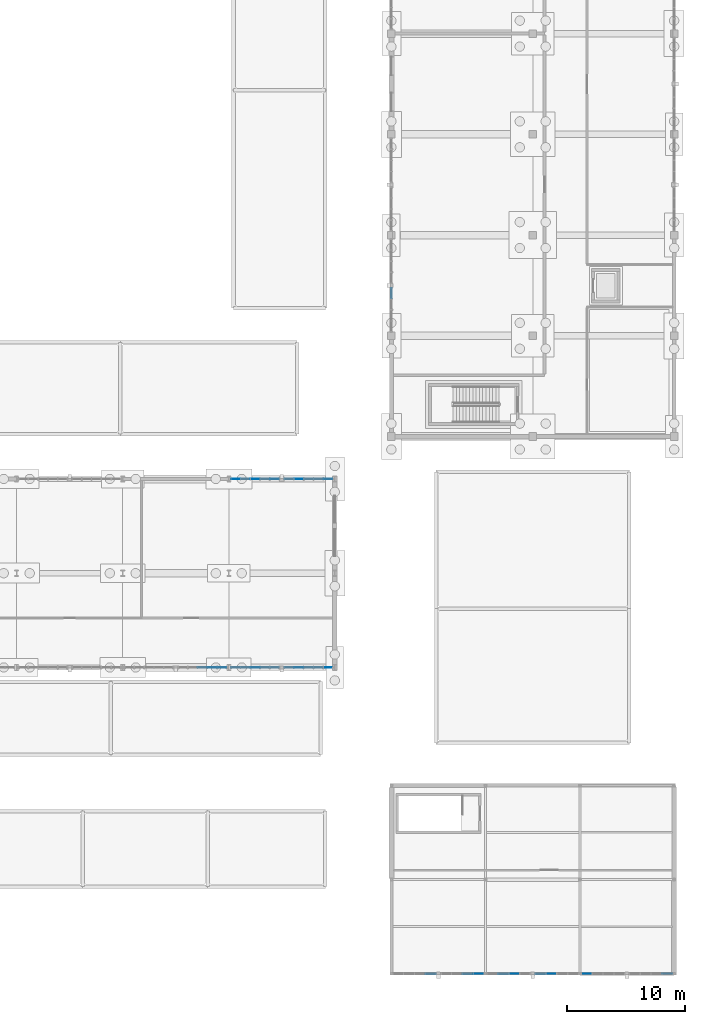
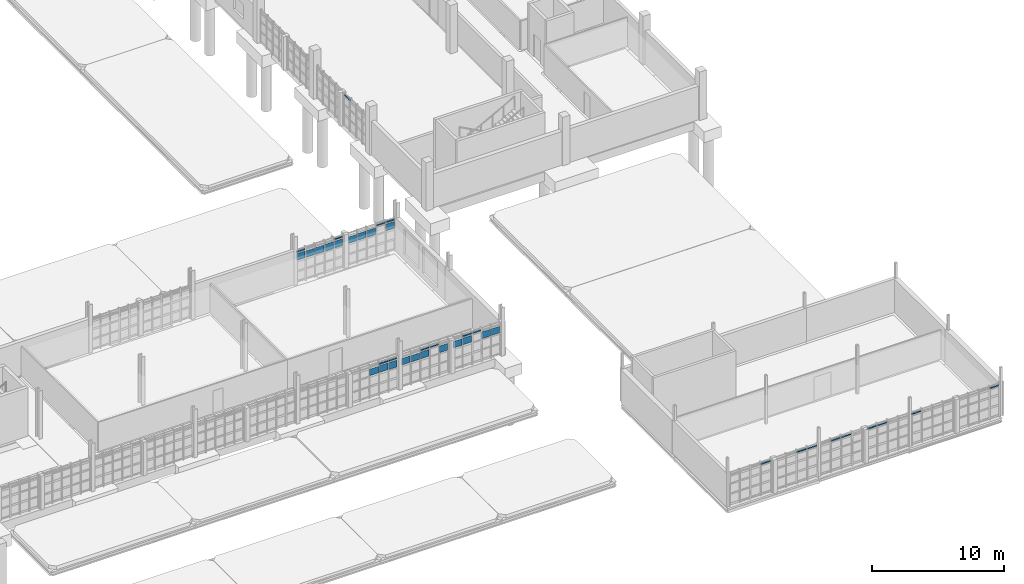
# One storey, part 100 of 125: 40 plates, 12 elements without a shape of their own.
"""IFC4 building model written with IfcOpenShell, lengths in metres."""

from ifc_helpers import new_model, si_unit, direction, frame, origin, origin_2d, place, context, subcontext, project, spatial, rectangle, extrude, material, layer, layer_set, type_object, element, aggregate, save


model = new_model("IFC4")

# Units and contexts
model_context = context("Model", 3, precision=1e-05, world=origin(), true_north=direction((0.0, 1.0)))
body_context = subcontext(model_context, "Body", "Model", "MODEL_VIEW")
ifc_project = project(units=[si_unit("LENGTHUNIT", "METRE"), si_unit("AREAUNIT", "SQUARE_METRE"), si_unit("VOLUMEUNIT", "CUBIC_METRE"), si_unit("PLANEANGLEUNIT", "RADIAN"), si_unit("MASSUNIT", "GRAM", prefix="KILO")], contexts=[model_context])

# Site, building, storey
site_placement = place(None, origin())
site = spatial("IfcSite", under=ifc_project, at=site_placement, CompositionType="ELEMENT")
building_placement = place(site_placement, origin())
building = spatial("IfcBuilding", under=site, at=building_placement, Name="Serraforn Aerial Cableway Station", CompositionType="ELEMENT")
storey_placement = place(building_placement, frame((0.0, 0.0, 4.5)))
storey = spatial("IfcBuildingStorey", under=building, at=storey_placement, Name="L01", CompositionType="ELEMENT", Elevation=4.5)

# Curtain wall, plate
ifc_material_1 = material(Name="Anodised bronze unitised curtain wall")
curtain_wall_type_1 = type_object("IfcCurtainWallType", Name="CW-SYS-22", PredefinedType="USERDEFINED", material=ifc_material_1)
curtain_wall_1_placement = place(storey_placement, origin())
curtain_wall_1 = element("IfcCurtainWall", 1, at=curtain_wall_1_placement, inside=storey, type_object=curtain_wall_type_1, Name="Unitised Curtain Wall CW-EL-L01-N5B", ObjectType="UNITISED CURTAIN WALL", PredefinedType="USERDEFINED")
ifc_material_2 = material(Name="Solar-control low-E double glazing", Category="glass")
ifc_layer_1 = layer(ifc_material_2, 0.02587890625)
ifc_layer_set_1 = layer_set([ifc_layer_1], Name="Solar-control low-E double glazing")
plate_type_1 = type_object("IfcPlateType", Name="CW-GLZ-1", PredefinedType="CURTAIN_PANEL", material=ifc_layer_set_1)
plate_1_placement = place(storey_placement, frame((130.78271484375, 42.0, 2.077392578125), z_axis=(0.0, 0.0, 1.0), x_axis=(1.0, 0.0, 0.0)))
plate_1 = element("IfcPlate", 2, at=plate_1_placement, type_object=plate_type_1, Name="Curtain Wall Panel CW-EL-L01-N5B-P5-3", PredefinedType="CURTAIN_PANEL", context=body_context, shape_type="SweptSolid", body=[
    extrude(rectangle(XDim=0.743408203125, YDim=0.02587890625, at=origin_2d()), origin(), (0.0, 0.0, 1.0), 0.615234375),
])

curtain_wall_type_2 = type_object("IfcCurtainWallType", Name="CW-SYS-19", PredefinedType="USERDEFINED", material=ifc_material_1)
curtain_wall_2_placement = place(storey_placement, origin())
curtain_wall_2 = element("IfcCurtainWall", 3, at=curtain_wall_2_placement, inside=storey, type_object=curtain_wall_type_2, Name="Unitised Curtain Wall CW-EL-L01-S5A", ObjectType="UNITISED CURTAIN WALL", PredefinedType="USERDEFINED")
ifc_layer_2 = layer(ifc_material_2, 0.028076171875)
ifc_layer_set_2 = layer_set([ifc_layer_2], Name="Solar-control low-E double glazing")
plate_type_2 = type_object("IfcPlateType", Name="CW-GLZ-2", PredefinedType="CURTAIN_PANEL", material=ifc_layer_set_2)
plate_2_placement = place(storey_placement, frame((130.788818359375, 26.0, 2.062255859375), z_axis=(0.0, 0.0, 1.0), x_axis=(1.0, 0.0, 0.0)))
plate_2 = element("IfcPlate", 4, at=plate_2_placement, type_object=plate_type_2, Name="Curtain Wall Panel CW-EL-L01-S5A-P1-3", PredefinedType="CURTAIN_PANEL", context=body_context, shape_type="SweptSolid", body=[
    extrude(rectangle(XDim=0.73583984375, YDim=0.028076171875, at=origin_2d()), origin(), (0.0, 0.0, 1.0), 0.6103515625),
])

# Plate
plate_3_placement = place(storey_placement, frame((130.78271484375, 42.0, 2.798583984375), z_axis=(0.0, 0.0, 1.0), x_axis=(1.0, 0.0, 0.0)))
plate_3 = element("IfcPlate", 5, at=plate_3_placement, type_object=plate_type_2, Name="Curtain Wall Panel CW-EL-L01-N5B-P5-4", PredefinedType="CURTAIN_PANEL", context=body_context, shape_type="SweptSolid", body=[
    extrude(rectangle(XDim=0.743408203125, YDim=0.028076171875, at=origin_2d()), origin(), (0.0, 0.0, 1.0), 0.138671875),
])

# Curtain wall, plate
curtain_wall_type_3 = type_object("IfcCurtainWallType", Name="CW-SYS-8", PredefinedType="USERDEFINED", material=ifc_material_1)
curtain_wall_3_placement = place(storey_placement, origin())
curtain_wall_3 = element("IfcCurtainWall", 6, at=curtain_wall_3_placement, inside=storey, type_object=curtain_wall_type_3, Name="Unitised Curtain Wall CW-ES-L01-S3B", ObjectType="UNITISED CURTAIN WALL", PredefinedType="USERDEFINED")
ifc_layer_3 = layer(ifc_material_2, 0.030029296875)
ifc_layer_set_3 = layer_set([ifc_layer_3], Name="Solar-control low-E double glazing")
plate_type_3 = type_object("IfcPlateType", Name="CW-GLZ-3", PredefinedType="CURTAIN_PANEL", material=ifc_layer_set_3)
plate_4_placement = place(storey_placement, frame((167.419189453125, 0.0, 2.798583984375), z_axis=(0.0, 0.0, 1.0), x_axis=(1.0, 0.0, 0.0)))
plate_4 = element("IfcPlate", 7, at=plate_4_placement, type_object=plate_type_3, Name="Curtain Wall Panel CW-ES-L01-S3B-P4-4", PredefinedType="CURTAIN_PANEL", context=body_context, shape_type="SweptSolid", body=[
    extrude(rectangle(XDim=0.839599609375, YDim=0.030029296875, at=origin_2d()), origin(), (0.0, 0.0, 1.0), 0.138671875),
])
aggregate(curtain_wall_3, [plate_4])

curtain_wall_type_4 = type_object("IfcCurtainWallType", Name="CW-SYS-18", PredefinedType="USERDEFINED", material=ifc_material_1)
curtain_wall_4_placement = place(storey_placement, origin())
curtain_wall_4 = element("IfcCurtainWall", 8, at=curtain_wall_4_placement, inside=storey, type_object=curtain_wall_type_4, Name="Unitised Curtain Wall CW-EL-L01-S4B", ObjectType="UNITISED CURTAIN WALL", PredefinedType="USERDEFINED")
plate_5_placement = place(storey_placement, frame((127.964599609375, 26.0, 2.06982421875), z_axis=(0.0, 0.0, 1.0), x_axis=(1.0, 0.0, 0.0)))
plate_5 = element("IfcPlate", 9, at=plate_5_placement, type_object=plate_type_3, Name="Curtain Wall Panel CW-EL-L01-S4B-P3-3", PredefinedType="CURTAIN_PANEL", context=body_context, shape_type="SweptSolid", body=[
    extrude(rectangle(XDim=0.781005859375, YDim=0.030029296875, at=origin_2d()), origin(), (0.0, 0.0, 1.0), 0.59521484375),
])

# Plate
plate_6_placement = place(storey_placement, frame((131.598388671875, 26.0, 2.06982421875), z_axis=(0.0, 0.0, 1.0), x_axis=(1.0, 0.0, 0.0)))
plate_6 = element("IfcPlate", 10, at=plate_6_placement, type_object=plate_type_3, Name="Curtain Wall Panel CW-EL-L01-S5A-P2-3", PredefinedType="CURTAIN_PANEL", context=body_context, shape_type="SweptSolid", body=[
    extrude(rectangle(XDim=0.781005859375, YDim=0.030029296875, at=origin_2d()), origin(), (0.0, 0.0, 1.0), 0.59521484375),
])

# Curtain wall, plate
curtain_wall_type_5 = type_object("IfcCurtainWallType", Name="CW-SYS-20", PredefinedType="USERDEFINED", material=ifc_material_1)
curtain_wall_5_placement = place(storey_placement, origin())
curtain_wall_5 = element("IfcCurtainWall", 11, at=curtain_wall_5_placement, inside=storey, type_object=curtain_wall_type_5, Name="Unitised Curtain Wall CW-EL-L01-S5B", ObjectType="UNITISED CURTAIN WALL", PredefinedType="USERDEFINED")
plate_7_placement = place(storey_placement, frame((135.309814453125, 26.0, 2.06982421875), z_axis=(0.0, 0.0, 1.0), x_axis=(1.0, 0.0, 0.0)))
plate_7 = element("IfcPlate", 12, at=plate_7_placement, type_object=plate_type_3, Name="Curtain Wall Panel CW-EL-L01-S5B-P1-3", PredefinedType="CURTAIN_PANEL", context=body_context, shape_type="SweptSolid", body=[
    extrude(rectangle(XDim=0.75341796875, YDim=0.030029296875, at=origin_2d()), origin(), (0.0, 0.0, 1.0), 0.59521484375),
])

# Plate
ifc_layer_4 = layer(ifc_material_2, 0.031982421875)
ifc_layer_set_4 = layer_set([ifc_layer_4], Name="Solar-control low-E double glazing")
plate_type_4 = type_object("IfcPlateType", Name="CW-GLZ-4", PredefinedType="CURTAIN_PANEL", material=ifc_layer_set_4)
plate_8_placement = place(storey_placement, frame((128.799072265625, 26.0, 2.077392578125), z_axis=(0.0, 0.0, 1.0), x_axis=(1.0, 0.0, 0.0)))
plate_8 = element("IfcPlate", 13, at=plate_8_placement, type_object=plate_type_4, Name="Curtain Wall Panel CW-EL-L01-S4B-P4-3", PredefinedType="CURTAIN_PANEL", context=body_context, shape_type="SweptSolid", body=[
    extrude(rectangle(XDim=0.77587890625, YDim=0.031982421875, at=origin_2d()), origin(), (0.0, 0.0, 1.0), 0.615234375),
])

plate_9_placement = place(storey_placement, frame((132.4326171875, 26.0, 2.077392578125), z_axis=(0.0, 0.0, 1.0), x_axis=(1.0, 0.0, 0.0)))
plate_9 = element("IfcPlate", 14, at=plate_9_placement, type_object=plate_type_4, Name="Curtain Wall Panel CW-EL-L01-S5A-P3-3", PredefinedType="CURTAIN_PANEL", context=body_context, shape_type="SweptSolid", body=[
    extrude(rectangle(XDim=0.77587890625, YDim=0.031982421875, at=origin_2d()), origin(), (0.0, 0.0, 1.0), 0.615234375),
])

plate_10_placement = place(storey_placement, frame((136.13037109375, 26.0, 2.077392578125), z_axis=(0.0, 0.0, 1.0), x_axis=(1.0, 0.0, 0.0)))
plate_10 = element("IfcPlate", 15, at=plate_10_placement, type_object=plate_type_4, Name="Curtain Wall Panel CW-EL-L01-S5B-P2-3", PredefinedType="CURTAIN_PANEL", context=body_context, shape_type="SweptSolid", body=[
    extrude(rectangle(XDim=0.77587890625, YDim=0.031982421875, at=origin_2d()), origin(), (0.0, 0.0, 1.0), 0.615234375),
])

# Curtain wall, plate
curtain_wall_type_6 = type_object("IfcCurtainWallType", Name="CW-SYS-21", PredefinedType="USERDEFINED", material=ifc_material_1)
curtain_wall_6_placement = place(storey_placement, origin())
curtain_wall_6 = element("IfcCurtainWall", 16, at=curtain_wall_6_placement, inside=storey, type_object=curtain_wall_type_6, Name="Unitised Curtain Wall CW-EL-L01-N5A", ObjectType="UNITISED CURTAIN WALL", PredefinedType="USERDEFINED")
plate_11_placement = place(storey_placement, frame((138.62109375, 42.0, 2.077392578125), z_axis=(0.0, 0.0, 1.0), x_axis=(1.0, 0.0, 0.0)))
plate_11 = element("IfcPlate", 17, at=plate_11_placement, type_object=plate_type_4, Name="Curtain Wall Panel CW-EL-L01-N5A-P1-3", PredefinedType="CURTAIN_PANEL", context=body_context, shape_type="SweptSolid", body=[
    extrude(rectangle(XDim=0.745849609375, YDim=0.031982421875, at=origin_2d()), origin(), (0.0, 0.0, 1.0), 0.615234375),
])

# Plate
ifc_layer_5 = layer(ifc_material_2, 0.033935546875)
ifc_layer_set_5 = layer_set([ifc_layer_5], Name="Solar-control low-E double glazing")
plate_type_5 = type_object("IfcPlateType", Name="CW-GLZ-5", PredefinedType="CURTAIN_PANEL", material=ifc_layer_set_5)
plate_12_placement = place(storey_placement, frame((128.799072265625, 26.0, 2.798583984375), z_axis=(0.0, 0.0, 1.0), x_axis=(1.0, 0.0, 0.0)))
plate_12 = element("IfcPlate", 18, at=plate_12_placement, type_object=plate_type_5, Name="Curtain Wall Panel CW-EL-L01-S4B-P4-4", PredefinedType="CURTAIN_PANEL", context=body_context, shape_type="SweptSolid", body=[
    extrude(rectangle(XDim=0.77587890625, YDim=0.033935546875, at=origin_2d()), origin(), (0.0, 0.0, 1.0), 0.138671875),
])

plate_13_placement = place(storey_placement, frame((129.6162109375, 26.0, 2.0498046875), z_axis=(0.0, 0.0, 1.0), x_axis=(1.0, 0.0, 0.0)))
plate_13 = element("IfcPlate", 19, at=plate_13_placement, type_object=plate_type_5, Name="Curtain Wall Panel CW-EL-L01-S4B-P5-3", PredefinedType="CURTAIN_PANEL", context=body_context, shape_type="SweptSolid", body=[
    extrude(rectangle(XDim=0.73583984375, YDim=0.033935546875, at=origin_2d()), origin(), (0.0, 0.0, 1.0), 0.6376953125),
])

plate_14_placement = place(storey_placement, frame((132.4326171875, 26.0, 2.798583984375), z_axis=(0.0, 0.0, 1.0), x_axis=(1.0, 0.0, 0.0)))
plate_14 = element("IfcPlate", 20, at=plate_14_placement, type_object=plate_type_5, Name="Curtain Wall Panel CW-EL-L01-S5A-P3-4", PredefinedType="CURTAIN_PANEL", context=body_context, shape_type="SweptSolid", body=[
    extrude(rectangle(XDim=0.77587890625, YDim=0.033935546875, at=origin_2d()), origin(), (0.0, 0.0, 1.0), 0.138671875),
])

plate_15_placement = place(storey_placement, frame((136.13037109375, 26.0, 2.798583984375), z_axis=(0.0, 0.0, 1.0), x_axis=(1.0, 0.0, 0.0)))
plate_15 = element("IfcPlate", 21, at=plate_15_placement, type_object=plate_type_5, Name="Curtain Wall Panel CW-EL-L01-S5B-P2-4", PredefinedType="CURTAIN_PANEL", context=body_context, shape_type="SweptSolid", body=[
    extrude(rectangle(XDim=0.77587890625, YDim=0.033935546875, at=origin_2d()), origin(), (0.0, 0.0, 1.0), 0.138671875),
])

plate_16_placement = place(storey_placement, frame((138.62109375, 42.0, 2.798583984375), z_axis=(0.0, 0.0, 1.0), x_axis=(1.0, 0.0, 0.0)))
plate_16 = element("IfcPlate", 22, at=plate_16_placement, type_object=plate_type_5, Name="Curtain Wall Panel CW-EL-L01-N5A-P1-4", PredefinedType="CURTAIN_PANEL", context=body_context, shape_type="SweptSolid", body=[
    extrude(rectangle(XDim=0.745849609375, YDim=0.033935546875, at=origin_2d()), origin(), (0.0, 0.0, 1.0), 0.138671875),
])

plate_17_placement = place(storey_placement, frame((134.087890625, 42.0, 2.0498046875), z_axis=(0.0, 0.0, 1.0), x_axis=(1.0, 0.0, 0.0)))
plate_17 = element("IfcPlate", 23, at=plate_17_placement, type_object=plate_type_5, Name="Curtain Wall Panel CW-EL-L01-N5B-P1-3", PredefinedType="CURTAIN_PANEL", context=body_context, shape_type="SweptSolid", body=[
    extrude(rectangle(XDim=0.73828125, YDim=0.033935546875, at=origin_2d()), origin(), (0.0, 0.0, 1.0), 0.6376953125),
])

# Curtain wall, plate
curtain_wall_type_7 = type_object("IfcCurtainWallType", Name="CW-SYS-3", PredefinedType="USERDEFINED", material=ifc_material_1)
curtain_wall_7_placement = place(storey_placement, origin())
curtain_wall_7 = element("IfcCurtainWall", 24, at=curtain_wall_7_placement, inside=storey, type_object=curtain_wall_type_7, Name="Unitised Curtain Wall CW-ES-L01-S1A", ObjectType="UNITISED CURTAIN WALL", PredefinedType="USERDEFINED")
ifc_layer_6 = layer(ifc_material_2, 0.035888671875)
ifc_layer_set_6 = layer_set([ifc_layer_6], Name="Solar-control low-E double glazing")
plate_type_6 = type_object("IfcPlateType", Name="CW-GLZ-6", PredefinedType="CURTAIN_PANEL", material=ifc_layer_set_6)
plate_18_placement = place(storey_placement, frame((147.337158203125, 0.0, 2.798583984375), z_axis=(0.0, 0.0, 1.0), x_axis=(1.0, 0.0, 0.0)))
plate_18 = element("IfcPlate", 25, at=plate_18_placement, type_object=plate_type_6, Name="Curtain Wall Panel CW-ES-L01-S1A-P4-4", PredefinedType="CURTAIN_PANEL", context=body_context, shape_type="SweptSolid", body=[
    extrude(rectangle(XDim=0.839599609375, YDim=0.035888671875, at=origin_2d()), origin(), (0.0, 0.0, 1.0), 0.138671875),
])
aggregate(curtain_wall_7, [plate_18])

curtain_wall_type_8 = type_object("IfcCurtainWallType", Name="CW-SYS-4", PredefinedType="USERDEFINED", material=ifc_material_1)
curtain_wall_8_placement = place(storey_placement, origin())
curtain_wall_8 = element("IfcCurtainWall", 26, at=curtain_wall_8_placement, inside=storey, type_object=curtain_wall_type_8, Name="Unitised Curtain Wall CW-ES-L01-S1B", ObjectType="UNITISED CURTAIN WALL", PredefinedType="USERDEFINED")
plate_19_placement = place(storey_placement, frame((150.5048828125, 0.0, 2.798583984375), z_axis=(0.0, 0.0, 1.0), x_axis=(1.0, 0.0, 0.0)))
plate_19 = element("IfcPlate", 27, at=plate_19_placement, type_object=plate_type_6, Name="Curtain Wall Panel CW-ES-L01-S1B-P3-4", PredefinedType="CURTAIN_PANEL", context=body_context, shape_type="SweptSolid", body=[
    extrude(rectangle(XDim=0.8720703125, YDim=0.035888671875, at=origin_2d()), origin(), (0.0, 0.0, 1.0), 0.138671875),
])

curtain_wall_type_9 = type_object("IfcCurtainWallType", Name="CW-SYS-5", PredefinedType="USERDEFINED", material=ifc_material_1)
curtain_wall_9_placement = place(storey_placement, origin())
curtain_wall_9 = element("IfcCurtainWall", 28, at=curtain_wall_9_placement, inside=storey, type_object=curtain_wall_type_9, Name="Unitised Curtain Wall CW-ES-L01-S2A", ObjectType="UNITISED CURTAIN WALL", PredefinedType="USERDEFINED")
plate_20_placement = place(storey_placement, frame((153.492431640625, 0.0, 2.798583984375), z_axis=(0.0, 0.0, 1.0), x_axis=(1.0, 0.0, 0.0)))
plate_20 = element("IfcPlate", 29, at=plate_20_placement, type_object=plate_type_6, Name="Curtain Wall Panel CW-ES-L01-S2A-P2-4", PredefinedType="CURTAIN_PANEL", context=body_context, shape_type="SweptSolid", body=[
    extrude(rectangle(XDim=0.8720703125, YDim=0.035888671875, at=origin_2d()), origin(), (0.0, 0.0, 1.0), 0.138671875),
])

curtain_wall_type_10 = type_object("IfcCurtainWallType", Name="CW-SYS-6", PredefinedType="USERDEFINED", material=ifc_material_1)
curtain_wall_10_placement = place(storey_placement, origin())
curtain_wall_10 = element("IfcCurtainWall", 30, at=curtain_wall_10_placement, inside=storey, type_object=curtain_wall_type_10, Name="Unitised Curtain Wall CW-ES-L01-S2B", ObjectType="UNITISED CURTAIN WALL", PredefinedType="USERDEFINED")
plate_21_placement = place(storey_placement, frame((156.658935546875, 0.0, 2.798583984375), z_axis=(0.0, 0.0, 1.0), x_axis=(1.0, 0.0, 0.0)))
plate_21 = element("IfcPlate", 31, at=plate_21_placement, type_object=plate_type_6, Name="Curtain Wall Panel CW-ES-L01-S2B-P1-4", PredefinedType="CURTAIN_PANEL", context=body_context, shape_type="SweptSolid", body=[
    extrude(rectangle(XDim=0.842041015625, YDim=0.035888671875, at=origin_2d()), origin(), (0.0, 0.0, 1.0), 0.138671875),
])

# Plate
plate_22_placement = place(storey_placement, frame((129.6162109375, 26.0, 2.8037109375), z_axis=(0.0, 0.0, 1.0), x_axis=(1.0, 0.0, 0.0)))
plate_22 = element("IfcPlate", 32, at=plate_22_placement, type_object=plate_type_6, Name="Curtain Wall Panel CW-EL-L01-S4B-P5-4", PredefinedType="CURTAIN_PANEL", context=body_context, shape_type="SweptSolid", body=[
    extrude(rectangle(XDim=0.73583984375, YDim=0.035888671875, at=origin_2d()), origin(), (0.0, 0.0, 1.0), 0.126220703125),
])

aggregate(curtain_wall_4, [plate_5, plate_8, plate_12, plate_13, plate_22])

plate_23_placement = place(storey_placement, frame((133.26708984375, 26.0, 2.8037109375), z_axis=(0.0, 0.0, 1.0), x_axis=(1.0, 0.0, 0.0)))
plate_23 = element("IfcPlate", 33, at=plate_23_placement, type_object=plate_type_6, Name="Curtain Wall Panel CW-EL-L01-S5A-P4-4", PredefinedType="CURTAIN_PANEL", context=body_context, shape_type="SweptSolid", body=[
    extrude(rectangle(XDim=0.77099609375, YDim=0.035888671875, at=origin_2d()), origin(), (0.0, 0.0, 1.0), 0.126220703125),
])

plate_24_placement = place(storey_placement, frame((134.082763671875, 26.0, 2.0546875), z_axis=(0.0, 0.0, 1.0), x_axis=(1.0, 0.0, 0.0)))
plate_24 = element("IfcPlate", 34, at=plate_24_placement, type_object=plate_type_6, Name="Curtain Wall Panel CW-EL-L01-S5A-P5-3", PredefinedType="CURTAIN_PANEL", context=body_context, shape_type="SweptSolid", body=[
    extrude(rectangle(XDim=0.728515625, YDim=0.035888671875, at=origin_2d()), origin(), (0.0, 0.0, 1.0), 0.625244140625),
])

aggregate(curtain_wall_2, [plate_2, plate_6, plate_9, plate_14, plate_23, plate_24])

plate_25_placement = place(storey_placement, frame((136.964599609375, 26.0, 2.8037109375), z_axis=(0.0, 0.0, 1.0), x_axis=(1.0, 0.0, 0.0)))
plate_25 = element("IfcPlate", 35, at=plate_25_placement, type_object=plate_type_6, Name="Curtain Wall Panel CW-EL-L01-S5B-P3-4", PredefinedType="CURTAIN_PANEL", context=body_context, shape_type="SweptSolid", body=[
    extrude(rectangle(XDim=0.77099609375, YDim=0.035888671875, at=origin_2d()), origin(), (0.0, 0.0, 1.0), 0.126220703125),
])

plate_26_placement = place(storey_placement, frame((137.799072265625, 26.0, 2.0546875), z_axis=(0.0, 0.0, 1.0), x_axis=(1.0, 0.0, 0.0)))
plate_26 = element("IfcPlate", 36, at=plate_26_placement, type_object=plate_type_6, Name="Curtain Wall Panel CW-EL-L01-S5B-P4-3", PredefinedType="CURTAIN_PANEL", context=body_context, shape_type="SweptSolid", body=[
    extrude(rectangle(XDim=0.765869140625, YDim=0.035888671875, at=origin_2d()), origin(), (0.0, 0.0, 1.0), 0.625244140625),
])

plate_27_placement = place(storey_placement, frame((137.801513671875, 42.0, 2.8037109375), z_axis=(0.0, 0.0, 1.0), x_axis=(1.0, 0.0, 0.0)))
plate_27 = element("IfcPlate", 37, at=plate_27_placement, type_object=plate_type_6, Name="Curtain Wall Panel CW-EL-L01-N5A-P2-4", PredefinedType="CURTAIN_PANEL", context=body_context, shape_type="SweptSolid", body=[
    extrude(rectangle(XDim=0.77099609375, YDim=0.035888671875, at=origin_2d()), origin(), (0.0, 0.0, 1.0), 0.126220703125),
])

plate_28_placement = place(storey_placement, frame((136.96728515625, 42.0, 2.0546875), z_axis=(0.0, 0.0, 1.0), x_axis=(1.0, 0.0, 0.0)))
plate_28 = element("IfcPlate", 38, at=plate_28_placement, type_object=plate_type_6, Name="Curtain Wall Panel CW-EL-L01-N5A-P3-3", PredefinedType="CURTAIN_PANEL", context=body_context, shape_type="SweptSolid", body=[
    extrude(rectangle(XDim=0.765869140625, YDim=0.035888671875, at=origin_2d()), origin(), (0.0, 0.0, 1.0), 0.625244140625),
])

plate_29_placement = place(storey_placement, frame((134.087890625, 42.0, 2.8037109375), z_axis=(0.0, 0.0, 1.0), x_axis=(1.0, 0.0, 0.0)))
plate_29 = element("IfcPlate", 39, at=plate_29_placement, type_object=plate_type_6, Name="Curtain Wall Panel CW-EL-L01-N5B-P1-4", PredefinedType="CURTAIN_PANEL", context=body_context, shape_type="SweptSolid", body=[
    extrude(rectangle(XDim=0.73828125, YDim=0.035888671875, at=origin_2d()), origin(), (0.0, 0.0, 1.0), 0.126220703125),
])

plate_30_placement = place(storey_placement, frame((133.269775390625, 42.0, 2.0546875), z_axis=(0.0, 0.0, 1.0), x_axis=(1.0, 0.0, 0.0)))
plate_30 = element("IfcPlate", 40, at=plate_30_placement, type_object=plate_type_6, Name="Curtain Wall Panel CW-EL-L01-N5B-P2-3", PredefinedType="CURTAIN_PANEL", context=body_context, shape_type="SweptSolid", body=[
    extrude(rectangle(XDim=0.765869140625, YDim=0.035888671875, at=origin_2d()), origin(), (0.0, 0.0, 1.0), 0.625244140625),
])

ifc_layer_7 = layer(ifc_material_2, 0.029052734375)
ifc_layer_set_7 = layer_set([ifc_layer_7], Name="Solar-control low-E double glazing")
plate_type_7 = type_object("IfcPlateType", Name="CW-GLZ-7", PredefinedType="CURTAIN_PANEL", material=ifc_layer_set_7)
plate_31_placement = place(storey_placement, frame((151.41796875, 0.0, 2.8037109375), z_axis=(0.0, 0.0, 1.0), x_axis=(1.0, 0.0, 0.0)))
plate_31 = element("IfcPlate", 41, at=plate_31_placement, type_object=plate_type_7, Name="Curtain Wall Panel CW-ES-L01-S1B-P4-4", PredefinedType="CURTAIN_PANEL", context=body_context, shape_type="SweptSolid", body=[
    extrude(rectangle(XDim=0.83203125, YDim=0.029052734375, at=origin_2d()), origin(), (0.0, 0.0, 1.0), 0.126220703125),
])

aggregate(curtain_wall_8, [plate_19, plate_31])

plate_32_placement = place(storey_placement, frame((154.423095703125, 0.0, 2.8037109375), z_axis=(0.0, 0.0, 1.0), x_axis=(1.0, 0.0, 0.0)))
plate_32 = element("IfcPlate", 42, at=plate_32_placement, type_object=plate_type_7, Name="Curtain Wall Panel CW-ES-L01-S2A-P3-4", PredefinedType="CURTAIN_PANEL", context=body_context, shape_type="SweptSolid", body=[
    extrude(rectangle(XDim=0.866943359375, YDim=0.029052734375, at=origin_2d()), origin(), (0.0, 0.0, 1.0), 0.126220703125),
])

aggregate(curtain_wall_9, [plate_20, plate_32])

plate_33_placement = place(storey_placement, frame((157.574462890625, 0.0, 2.8037109375), z_axis=(0.0, 0.0, 1.0), x_axis=(1.0, 0.0, 0.0)))
plate_33 = element("IfcPlate", 43, at=plate_33_placement, type_object=plate_type_7, Name="Curtain Wall Panel CW-ES-L01-S2B-P2-4", PredefinedType="CURTAIN_PANEL", context=body_context, shape_type="SweptSolid", body=[
    extrude(rectangle(XDim=0.866943359375, YDim=0.029052734375, at=origin_2d()), origin(), (0.0, 0.0, 1.0), 0.126220703125),
])

aggregate(curtain_wall_10, [plate_21, plate_33])

# Curtain wall, plate
curtain_wall_type_11 = type_object("IfcCurtainWallType", Name="CW-SYS-7", PredefinedType="USERDEFINED", material=ifc_material_1)
curtain_wall_11_placement = place(storey_placement, origin())
curtain_wall_11 = element("IfcCurtainWall", 44, at=curtain_wall_11_placement, inside=storey, type_object=curtain_wall_type_11, Name="Unitised Curtain Wall CW-ES-L01-S3A", ObjectType="UNITISED CURTAIN WALL", PredefinedType="USERDEFINED")
plate_34_placement = place(storey_placement, frame((160.578125, 0.0, 2.8037109375), z_axis=(0.0, 0.0, 1.0), x_axis=(1.0, 0.0, 0.0)))
plate_34 = element("IfcPlate", 45, at=plate_34_placement, type_object=plate_type_7, Name="Curtain Wall Panel CW-ES-L01-S3A-P1-4", PredefinedType="CURTAIN_PANEL", context=body_context, shape_type="SweptSolid", body=[
    extrude(rectangle(XDim=0.83447265625, YDim=0.029052734375, at=origin_2d()), origin(), (0.0, 0.0, 1.0), 0.126220703125),
])
aggregate(curtain_wall_11, [plate_34])

# Plate
plate_35_placement = place(storey_placement, frame((138.6259765625, 26.0, 2.062255859375), z_axis=(0.0, 0.0, 1.0), x_axis=(1.0, 0.0, 0.0)))
plate_35 = element("IfcPlate", 46, at=plate_35_placement, type_object=plate_type_7, Name="Curtain Wall Panel CW-EL-L01-S5B-P5-3", PredefinedType="CURTAIN_PANEL", context=body_context, shape_type="SweptSolid", body=[
    extrude(rectangle(XDim=0.745849609375, YDim=0.029052734375, at=origin_2d()), origin(), (0.0, 0.0, 1.0), 0.6103515625),
])

aggregate(curtain_wall_5, [plate_7, plate_10, plate_15, plate_25, plate_26, plate_35])

plate_36_placement = place(storey_placement, frame((136.126708984375, 42.0, 2.062255859375), z_axis=(0.0, 0.0, 1.0), x_axis=(1.0, 0.0, 0.0)))
plate_36 = element("IfcPlate", 47, at=plate_36_placement, type_object=plate_type_7, Name="Curtain Wall Panel CW-EL-L01-N5A-P4-3", PredefinedType="CURTAIN_PANEL", context=body_context, shape_type="SweptSolid", body=[
    extrude(rectangle(XDim=0.7734375, YDim=0.029052734375, at=origin_2d()), origin(), (0.0, 0.0, 1.0), 0.6103515625),
])

plate_37_placement = place(storey_placement, frame((132.428955078125, 42.0, 2.062255859375), z_axis=(0.0, 0.0, 1.0), x_axis=(1.0, 0.0, 0.0)))
plate_37 = element("IfcPlate", 48, at=plate_37_placement, type_object=plate_type_7, Name="Curtain Wall Panel CW-EL-L01-N5B-P3-3", PredefinedType="CURTAIN_PANEL", context=body_context, shape_type="SweptSolid", body=[
    extrude(rectangle(XDim=0.7734375, YDim=0.029052734375, at=origin_2d()), origin(), (0.0, 0.0, 1.0), 0.6103515625),
])

ifc_layer_8 = layer(ifc_material_2, 0.031005859375)
ifc_layer_set_8 = layer_set([ifc_layer_8], Name="Solar-control low-E double glazing")
plate_type_8 = type_object("IfcPlateType", Name="CW-GLZ-8", PredefinedType="CURTAIN_PANEL", material=ifc_layer_set_8)
plate_38_placement = place(storey_placement, frame((135.3134765625, 42.0, 2.06982421875), z_axis=(0.0, 0.0, 1.0), x_axis=(1.0, 0.0, 0.0)))
plate_38 = element("IfcPlate", 49, at=plate_38_placement, type_object=plate_type_8, Name="Curtain Wall Panel CW-EL-L01-N5A-P5-3", PredefinedType="CURTAIN_PANEL", context=body_context, shape_type="SweptSolid", body=[
    extrude(rectangle(XDim=0.7509765625, YDim=0.031005859375, at=origin_2d()), origin(), (0.0, 0.0, 1.0), 0.59521484375),
])

aggregate(curtain_wall_6, [plate_11, plate_16, plate_27, plate_28, plate_36, plate_38])

plate_39_placement = place(storey_placement, frame((131.600830078125, 42.0, 2.06982421875), z_axis=(0.0, 0.0, 1.0), x_axis=(1.0, 0.0, 0.0)))
plate_39 = element("IfcPlate", 50, at=plate_39_placement, type_object=plate_type_8, Name="Curtain Wall Panel CW-EL-L01-N5B-P4-3", PredefinedType="CURTAIN_PANEL", context=body_context, shape_type="SweptSolid", body=[
    extrude(rectangle(XDim=0.781005859375, YDim=0.031005859375, at=origin_2d()), origin(), (0.0, 0.0, 1.0), 0.59521484375),
])

aggregate(curtain_wall_1, [plate_17, plate_29, plate_30, plate_37, plate_39, plate_1, plate_3])

# Curtain wall, plate
curtain_wall_12_placement = place(storey_placement, origin())
curtain_wall_12 = element("IfcCurtainWall", 51, at=curtain_wall_12_placement, inside=storey, type_object=curtain_wall_type_8, Name="Unitised Curtain Wall CW-EG-L01-W2B", ObjectType="UNITISED CURTAIN WALL", PredefinedType="USERDEFINED")
plate_40_placement = place(storey_placement, frame((144.0, 57.758544921875, 2.8037109375), z_axis=(0.0, 0.0, 1.0), x_axis=(1.0, 0.0, 0.0)))
plate_40 = element("IfcPlate", 52, at=plate_40_placement, type_object=plate_type_8, Name="Curtain Wall Panel CW-EG-L01-W2B-P1-4", PredefinedType="CURTAIN_PANEL", context=body_context, shape_type="SweptSolid", body=[
    extrude(rectangle(XDim=0.031005859375, YDim=0.846923828125, at=origin_2d()), origin(), (0.0, 0.0, 1.0), 0.126220703125),
])
aggregate(curtain_wall_12, [plate_40])

save(model, "model.ifc")
